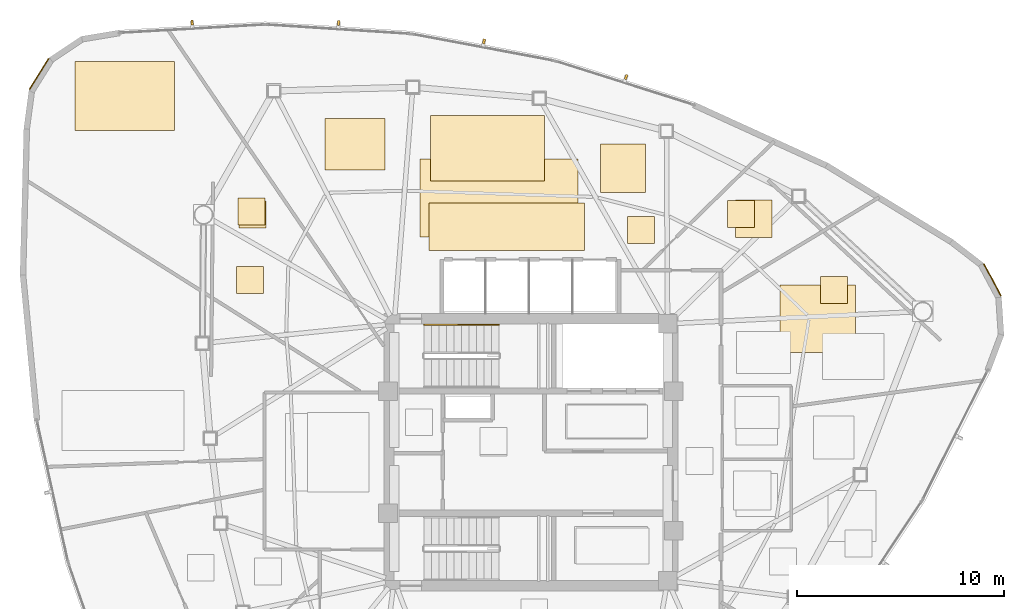
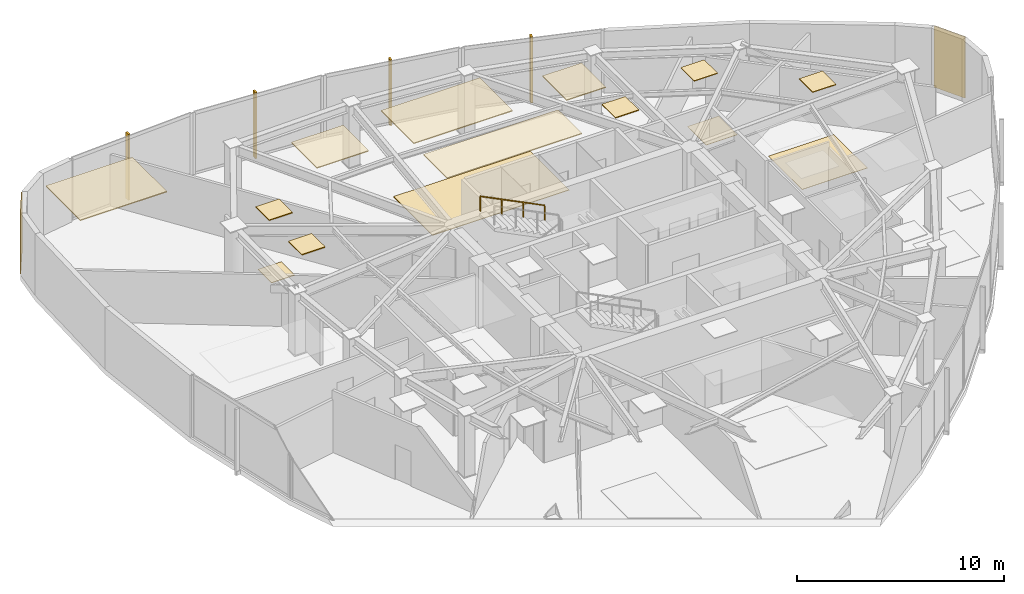
# One storey, part 14 of 14: 16 coverings, 4 shading devices, 1 railing.
"""IFC4 building model written with IfcOpenShell, lengths in metres."""

from ifc_helpers import new_model, si_unit, direction, frame, origin, origin_2d, place, context, subcontext, project, spatial, polyline, rectangle, outline, extrude, source, transform, mapped, material, layer, layer_set, type_object, type_shapes, element, save


model = new_model("IFC4")

# Units and contexts
model_context = context("Model", 3, precision=1e-05, world=origin(), true_north=direction((0.0, 1.0)))
body_context = subcontext(model_context, "Body", "Model", "MODEL_VIEW")
ifc_project = project(units=[si_unit("LENGTHUNIT", "METRE"), si_unit("AREAUNIT", "SQUARE_METRE"), si_unit("VOLUMEUNIT", "CUBIC_METRE"), si_unit("PLANEANGLEUNIT", "RADIAN"), si_unit("MASSUNIT", "GRAM", prefix="KILO")], contexts=[model_context])

# Site, building, storey
site_placement = place(None, origin())
site = spatial("IfcSite", under=ifc_project, at=site_placement, CompositionType="ELEMENT")
building_placement = place(site_placement, origin())
building = spatial("IfcBuilding", under=site, at=building_placement, Name="Tavelor Broadcast Tower", CompositionType="ELEMENT")
storey_placement = place(building_placement, frame((0.0, 0.0, 234.0)))
storey = spatial("IfcBuildingStorey", under=building, at=storey_placement, Name="L55", CompositionType="ELEMENT", Elevation=234.0)

# Coverings
ifc_material_1 = material(Name="Copper-Bronze Anodized Aluminium", Category="aluminium")
ifc_layer_1 = layer(ifc_material_1, 0.050048828125)
ifc_layer_set_1 = layer_set([ifc_layer_1], Name="Copper-Bronze Anodized Aluminium")
covering_type_1 = type_object("IfcCoveringType", Name="Champagne-Bronze Corner Pier Metal Cladding 50 mm", PredefinedType="CLADDING", material=ifc_layer_set_1)
for number, where, z_axis, x_axis, name in (
    (1, (26.255859375, 63.257080078125, 0.02001953125), (0.0, 0.0, 1.0), (-0.529179000974, -0.848510214982, 0.0), "L55 Champagne-Bronze Corner Cladding 03"),
    (2, (72.283203125, 53.31689453125, 0.02001953125), (0.0, 0.0, 1.0), (-0.470241901057, 0.882537565484, 0.0), "L55 Champagne-Bronze Corner Cladding 23"),
):
    element("IfcCovering", number, at=place(storey_placement, frame(where, z_axis=z_axis, x_axis=x_axis)), inside=storey, type_object=covering_type_1, Name=name, PredefinedType="CLADDING", context=body_context, shape_type="SweptSolid", body=[
        extrude(rectangle(XDim=1.7568359375, YDim=0.050048828125, at=origin_2d()), origin(), (0.0, 0.0, 1.0), 3.610107421875),
    ])

# Railing
ifc_material_2 = material(Name="Steel S355", Category="steel")
railing_type = type_object("IfcRailingType", Name="Continuous Brushed Stainless Handrail 900 mm", PredefinedType="HANDRAIL", material=ifc_material_2)
railing_placement = place(storey_placement, frame((48.449951171875, 51.14990234375, 2.154541015625)))
element("IfcRailing", 3, at=railing_placement, inside=storey, type_object=railing_type, Name="L55 ST1 stair handrail 2", PredefinedType="HANDRAIL", context=body_context, shape_type="SweptSolid", body=[
    extrude(rectangle(XDim=0.048095703125, YDim=0.048095703125, at=origin_2d()), frame((0.0, 0.0, 0.8759765625), z_axis=(-0.894875846893, 0.0, 0.446315156192), x_axis=(0.0, -1.0, 0.0)), (0.0, 0.0, 1.0), 4.022705078125),
    extrude(rectangle(XDim=0.0419921875, YDim=0.0419921875, at=origin_2d()), origin(), (0.0, 0.0, 1.0), 0.851806640625),
    extrude(rectangle(XDim=0.0419921875, YDim=0.0419921875, at=origin_2d()), frame((-1.199951171875, 0.0, 0.598388671875)), (0.0, 0.0, 1.0), 0.851806640625),
    extrude(rectangle(XDim=0.0419921875, YDim=0.0419921875, at=origin_2d()), frame((-2.39990234375, 0.0, 1.197021484375)), (0.0, 0.0, 1.0), 0.851806640625),
    extrude(rectangle(XDim=0.0419921875, YDim=0.0419921875, at=origin_2d()), frame((-3.599853515625, 0.0, 1.79541015625)), (0.0, 0.0, 1.0), 0.851806640625),
])

# Coverings
ifc_material_3 = material(Name="Acoustic Nylon Carpet Tile")
ifc_layer_2 = layer(ifc_material_3, 0.02001953125)
ifc_layer_set_2 = layer_set([ifc_layer_2], Name="Acoustic Nylon Carpet Tile")
covering_type_2 = type_object("IfcCoveringType", Name="Heavy-Duty Acoustic Broadcast Carpet Tile 20 mm", PredefinedType="FLOORING", material=ifc_layer_set_2)
covering_1_placement = place(storey_placement, origin())
element("IfcCovering", 4, at=covering_1_placement, inside=storey, type_object=covering_type_2, Name="L55 Broadcast Floor Finish 0815", PredefinedType="FLOORING", context=body_context, shape_type="SweptSolid", body=[
    extrude(outline(polyline([(59.88330078125, 55.376708984375), (61.62841796875, 55.376708984375), (61.62841796875, 57.1826171875), (59.88330078125, 57.1826171875), (59.88330078125, 55.376708984375)])), origin(), (0.0, 0.0, 1.0), 0.02001953125),
])
covering_2_placement = place(storey_placement, origin())
element("IfcCovering", 5, at=covering_2_placement, inside=storey, type_object=covering_type_2, Name="L55 Broadcast Floor Finish 0816", PredefinedType="FLOORING", context=body_context, shape_type="SweptSolid", body=[
    extrude(outline(polyline([(62.022216796875, 49.818359375), (65.665283203125, 49.818359375), (65.665283203125, 53.061767578125), (62.022216796875, 53.061767578125), (62.022216796875, 49.818359375)])), origin(), (0.0, 0.0, 1.0), 0.02001953125),
])
ifc_material_4 = material(Name="Acoustic Hardwood Studio Flooring", Category="wood")
ifc_layer_3 = layer(ifc_material_4, 0.034912109375)
ifc_layer_set_3 = layer_set([ifc_layer_3], Name="Acoustic Hardwood Studio Flooring")
covering_type_3 = type_object("IfcCoveringType", Name="Isolated Studio Acoustic Elastomeric Floor Finish 35 mm", PredefinedType="FLOORING", material=ifc_layer_set_3)
covering_3_placement = place(storey_placement, origin())
element("IfcCovering", 6, at=covering_3_placement, inside=storey, type_object=covering_type_3, Name="L55 Broadcast Floor Finish 0813", PredefinedType="FLOORING", context=body_context, shape_type="SweptSolid", body=[
    extrude(outline(polyline([(35.91259765625, 55.81591796875), (37.212646484375, 55.81591796875), (37.212646484375, 57.115966796875), (35.91259765625, 57.115966796875), (35.91259765625, 55.81591796875)])), origin(), (0.0, 0.0, 1.0), 0.034912109375),
])
covering_4_placement = place(storey_placement, origin())
element("IfcCovering", 7, at=covering_4_placement, inside=storey, type_object=covering_type_3, Name="L55 Broadcast Floor Finish 0814", PredefinedType="FLOORING", context=body_context, shape_type="SweptSolid", body=[
    extrude(outline(polyline([(44.639892578125, 55.397705078125), (52.266845703125, 55.397705078125), (52.266845703125, 59.154052734375), (44.639892578125, 59.154052734375), (44.639892578125, 55.397705078125)])), origin(), (0.0, 0.0, 1.0), 0.034912109375),
])
ifc_material_5 = material(Name="Acoustic Perforated Timber Baffle", Category="wood")
ifc_layer_4 = layer(ifc_material_5, 0.054931640625)
ifc_layer_set_4 = layer_set([ifc_layer_4], Name="Acoustic Perforated Timber Baffle")
covering_type_4 = type_object("IfcCoveringType", Name="Micro-Perforated Acoustic Baffle Studio Ceiling 55 mm", PredefinedType="CEILING", material=ifc_layer_set_4)
covering_5_placement = place(storey_placement, frame((0.0, 0.0, 3.594970703125)))
element("IfcCovering", 8, at=covering_5_placement, inside=storey, type_object=covering_type_4, Name="L55 Suspended Acoustic Ceiling 2186", PredefinedType="CEILING", context=body_context, shape_type="SweptSolid", body=[
    extrude(outline(polyline([(27.981689453125, 60.5263671875), (32.803955078125, 60.5263671875), (32.803955078125, 63.857421875), (27.981689453125, 63.857421875), (27.981689453125, 60.5263671875)])), origin(), (0.0, 0.0, 1.0), 0.054931640625),
])
covering_6_placement = place(storey_placement, frame((0.0, 0.0, 3.594970703125)))
element("IfcCovering", 9, at=covering_6_placement, inside=storey, type_object=covering_type_4, Name="L55 Suspended Acoustic Ceiling 2187", PredefinedType="CEILING", context=body_context, shape_type="SweptSolid", body=[
    extrude(outline(polyline([(35.868896484375, 55.96875), (37.1689453125, 55.96875), (37.1689453125, 57.268798828125), (35.868896484375, 57.268798828125), (35.868896484375, 55.96875)])), origin(), (0.0, 0.0, 1.0), 0.054931640625),
])
covering_7_placement = place(storey_placement, frame((0.0, 0.0, 3.594970703125)))
element("IfcCovering", 10, at=covering_7_placement, inside=storey, type_object=covering_type_4, Name="L55 Suspended Acoustic Ceiling 2188", PredefinedType="CEILING", context=body_context, shape_type="SweptSolid", body=[
    extrude(outline(polyline([(35.791015625, 52.667236328125), (37.091064453125, 52.667236328125), (37.091064453125, 53.96728515625), (35.791015625, 53.96728515625), (35.791015625, 52.667236328125)])), origin(), (0.0, 0.0, 1.0), 0.054931640625),
])
covering_8_placement = place(storey_placement, frame((0.0, 0.0, 3.594970703125)))
element("IfcCovering", 11, at=covering_8_placement, inside=storey, type_object=covering_type_4, Name="L55 Suspended Acoustic Ceiling 2189", PredefinedType="CEILING", context=body_context, shape_type="SweptSolid", body=[
    extrude(outline(polyline([(54.6611328125, 55.07958984375), (55.961181640625, 55.07958984375), (55.961181640625, 56.37939453125), (54.6611328125, 56.37939453125), (54.6611328125, 55.07958984375)])), origin(), (0.0, 0.0, 1.0), 0.054931640625),
])
covering_9_placement = place(storey_placement, frame((0.0, 0.0, 3.594970703125)))
element("IfcCovering", 12, at=covering_9_placement, inside=storey, type_object=covering_type_4, Name="L55 Suspended Acoustic Ceiling 2190", PredefinedType="CEILING", context=body_context, shape_type="SweptSolid", body=[
    extrude(outline(polyline([(45.081787109375, 54.744140625), (52.593505859375, 54.744140625), (52.593505859375, 57.0380859375), (45.081787109375, 57.0380859375), (45.081787109375, 54.744140625)])), origin(), (0.0, 0.0, 1.0), 0.054931640625),
])
covering_10_placement = place(storey_placement, frame((0.0, 0.0, 3.594970703125)))
element("IfcCovering", 13, at=covering_10_placement, inside=storey, type_object=covering_type_4, Name="L55 Suspended Acoustic Ceiling 2191", PredefinedType="CEILING", context=body_context, shape_type="SweptSolid", body=[
    extrude(outline(polyline([(53.365478515625, 57.541259765625), (55.54296875, 57.541259765625), (55.54296875, 59.880615234375), (53.365478515625, 59.880615234375), (53.365478515625, 57.541259765625)])), origin(), (0.0, 0.0, 1.0), 0.054931640625),
])
covering_11_placement = place(storey_placement, frame((0.0, 0.0, 3.594970703125)))
element("IfcCovering", 14, at=covering_11_placement, inside=storey, type_object=covering_type_4, Name="L55 Suspended Acoustic Ceiling 2192", PredefinedType="CEILING", context=body_context, shape_type="SweptSolid", body=[
    extrude(outline(polyline([(45.157470703125, 58.081787109375), (50.666015625, 58.081787109375), (50.666015625, 61.25537109375), (45.157470703125, 61.25537109375), (45.157470703125, 58.081787109375)])), origin(), (0.0, 0.0, 1.0), 0.054931640625),
])
covering_12_placement = place(storey_placement, frame((0.0, 0.0, 3.594970703125)))
element("IfcCovering", 15, at=covering_12_placement, inside=storey, type_object=covering_type_4, Name="L55 Suspended Acoustic Ceiling 2193", PredefinedType="CEILING", context=body_context, shape_type="SweptSolid", body=[
    extrude(outline(polyline([(40.068359375, 58.62890625), (42.954833984375, 58.62890625), (42.954833984375, 61.10546875), (40.068359375, 61.10546875), (40.068359375, 58.62890625)])), origin(), (0.0, 0.0, 1.0), 0.054931640625),
])
ifc_material_6 = material(Name="Acoustic Mineral Fibre Tile")
ifc_layer_5 = layer(ifc_material_6, 0.0400390625)
ifc_layer_set_5 = layer_set([ifc_layer_5], Name="Acoustic Mineral Fibre Tile")
covering_type_5 = type_object("IfcCoveringType", Name="Suspended Acoustic Mineral-Fibre Office Ceiling 40 mm", PredefinedType="CEILING", material=ifc_layer_set_5)
covering_13_placement = place(storey_placement, frame((0.0, 0.0, 3.610107421875)))
element("IfcCovering", 16, at=covering_13_placement, inside=storey, type_object=covering_type_5, Name="L55 Suspended Acoustic Ceiling 2194", PredefinedType="CEILING", context=body_context, shape_type="SweptSolid", body=[
    extrude(outline(polyline([(59.499267578125, 55.850341796875), (60.79931640625, 55.850341796875), (60.79931640625, 57.150390625), (59.499267578125, 57.150390625), (59.499267578125, 55.850341796875)])), origin(), (0.0, 0.0, 1.0), 0.039794921875),
])
covering_14_placement = place(storey_placement, frame((0.0, 0.0, 3.610107421875)))
element("IfcCovering", 17, at=covering_14_placement, inside=storey, type_object=covering_type_5, Name="L55 Suspended Acoustic Ceiling 2195", PredefinedType="CEILING", context=body_context, shape_type="SweptSolid", body=[
    extrude(outline(polyline([(63.973388671875, 52.175537109375), (65.2734375, 52.175537109375), (65.2734375, 53.4755859375), (63.973388671875, 53.4755859375), (63.973388671875, 52.175537109375)])), origin(), (0.0, 0.0, 1.0), 0.039794921875),
])

# Shading devices
ifc_material_7 = material(Name="Kiln-Fired Glazed Terracotta", Category="masonry")
shading_device_type = type_object("IfcShadingDeviceType", Name="Extruded Terracotta Baguette Sun-Screen 110x240", PredefinedType="JALOUSIE", material=ifc_material_7)
shared_shape = source(origin(), body_context, "Body", "SweptSolid", [
    extrude(rectangle(XDim=0.110107421875, YDim=0.239990234375, at=origin_2d()), origin(), (0.0, 0.0, 1.0), 3.889892578125),
])
type_shapes(shading_device_type, [shared_shape])
for number, where, z_axis, x_axis, name in (
    (18, (54.59716796875, 63.114501953125, -0.259765625), (0.0, 0.0, 1.0), (-0.953296156722, 0.302037146025, 0.0), "L55 Terracotta Baguette Fin 573"),
    (19, (47.73583984375, 64.838134765625, -0.259765625), (0.0, 0.0, 1.0), (-0.982871078132, 0.184294448562, 0.0), "L55 Terracotta Baguette Fin 574"),
    (20, (40.71630859375, 65.718505859375, -0.259765625), (0.0, 0.0, 1.0), (-0.997949270516, 0.064009792035, 0.0), "L55 Terracotta Baguette Fin 575"),
    (21, (33.64208984375, 65.7431640625, -0.259765625), (0.0, 0.0, 1.0), (-0.998361849427, -0.057215536424, 0.0), "L55 Terracotta Baguette Fin 576"),
):
    element("IfcShadingDevice", number, at=place(storey_placement, frame(where, z_axis=z_axis, x_axis=x_axis)), inside=storey, type_object=shading_device_type, Name=name, PredefinedType="JALOUSIE", context=body_context, shape_type="MappedRepresentation", body=[
        mapped(shared_shape, transform((0.0, 0.0, 0.0), scale=1.0)),
    ])

save(model, "model.ifc")
